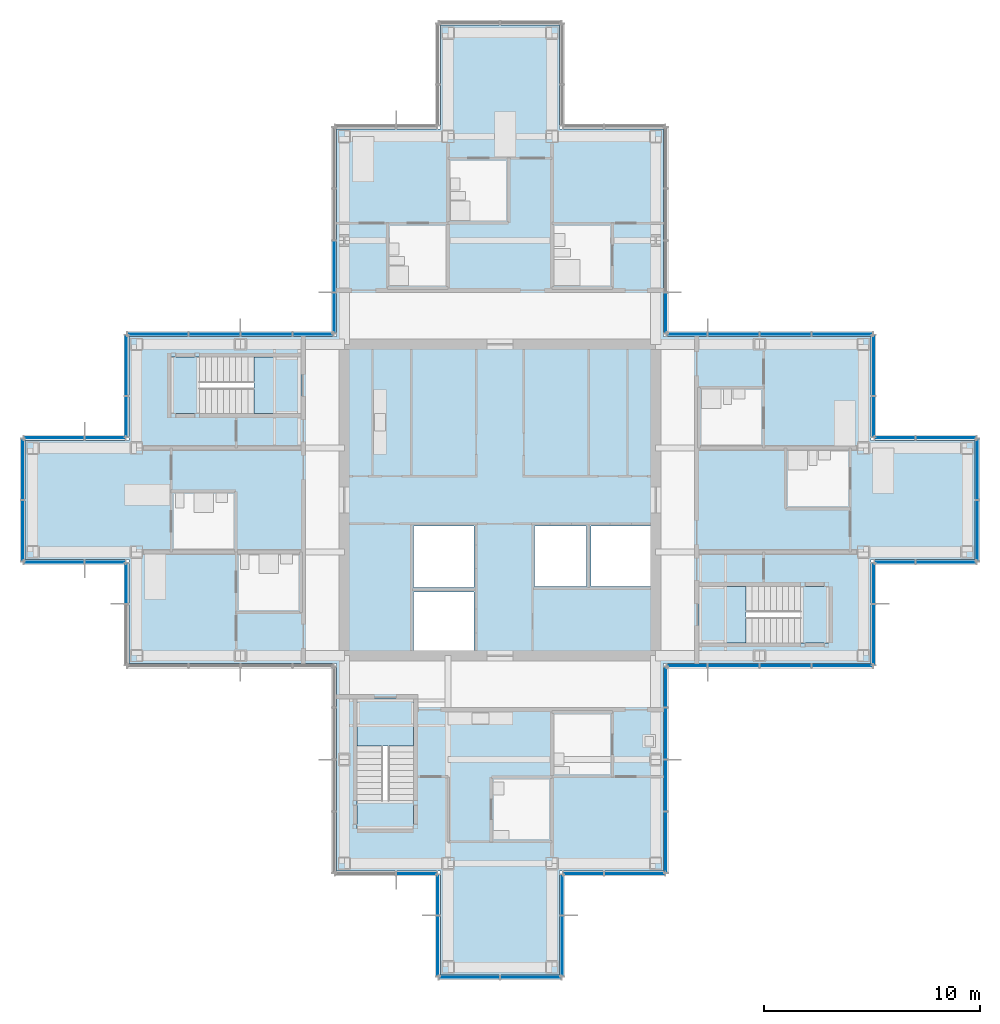
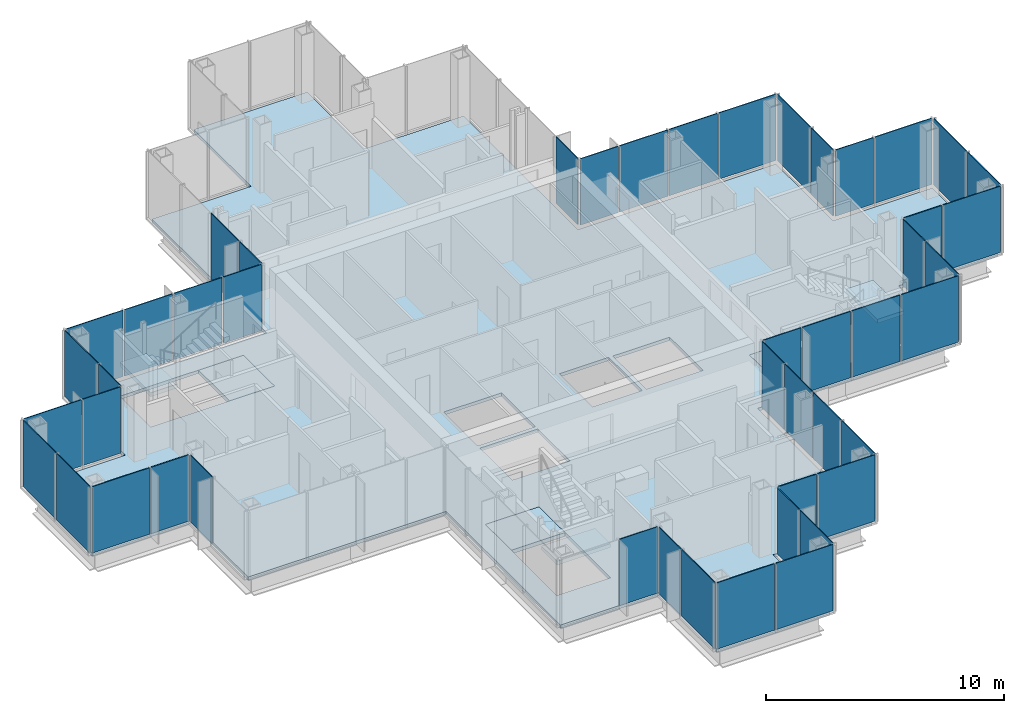
# One storey, part 10 of 17: 47 plates, 7 slabs, 24 elements without a shape of their own.
"""IFC4 building model written with IfcOpenShell, lengths in metres."""

from ifc_helpers import new_model, si_unit, direction, frame, origin, origin_2d, place, context, subcontext, project, spatial, polyline, rectangle, outline, extrude, material, layer, layer_set, type_object, element, aggregate, save


model = new_model("IFC4")

# Units and contexts
model_context = context("Model", 3, precision=1e-05, world=origin(), true_north=direction((0.0, 1.0)))
body_context = subcontext(model_context, "Body", "Model", "MODEL_VIEW")
ifc_project = project(units=[si_unit("LENGTHUNIT", "METRE"), si_unit("AREAUNIT", "SQUARE_METRE"), si_unit("VOLUMEUNIT", "CUBIC_METRE"), si_unit("PLANEANGLEUNIT", "RADIAN"), si_unit("MASSUNIT", "GRAM", prefix="KILO")], contexts=[model_context])

# Site, building, storey
site_placement = place(None, origin())
site = spatial("IfcSite", under=ifc_project, at=site_placement, CompositionType="ELEMENT")
building_placement = place(site_placement, origin())
building = spatial("IfcBuilding", under=site, at=building_placement, Name="Kvirike Care Tower", CompositionType="ELEMENT")
storey_placement = place(building_placement, frame((0.0, 0.0, 151.5)))
storey = spatial("IfcBuildingStorey", under=building, at=storey_placement, Name="L41", CompositionType="ELEMENT", Elevation=151.5)

# Slab
ifc_material_1 = material(Name="Concrete C35/45", Category="concrete")
ifc_layer_1 = layer(ifc_material_1, 0.169921875)
ifc_layer_set_1 = layer_set([ifc_layer_1], Name="FLOOR SLAB 170")
slab_type_1 = type_object("IfcSlabType", Name="FLOOR SLAB 170", PredefinedType="FLOOR", material=ifc_layer_set_1)
slab_1_placement = place(storey_placement, frame((0.0, 0.0, -0.169921875)))
element("IfcSlab", 1, at=slab_1_placement, inside=storey, type_object=slab_type_1, Name="Floor slab L41", PredefinedType="FLOOR", context=body_context, shape_type="SweptSolid", body=[
    extrude(outline(polyline([(29.14990234375, 28.449951171875), (38.75, 28.449951171875), (38.75, 33.25), (43.550048828125, 33.25), (43.550048828125, 38.75), (38.75, 38.75), (38.75, 43.550048828125), (29.14990234375, 43.550048828125), (29.14990234375, 53.14990234375), (24.35009765625, 53.14990234375), (24.35009765625, 57.949951171875), (18.85009765625, 57.949951171875), (18.85009765625, 53.14990234375), (14.050048828125, 53.14990234375), (14.050048828125, 43.550048828125), (4.449951171875, 43.550048828125), (4.449951171875, 38.75), (-0.35009765625, 38.75), (-0.35009765625, 33.25), (4.449951171875, 33.25), (4.449951171875, 28.449951171875), (14.050048828125, 28.449951171875), (14.050048828125, 18.85009765625), (18.85009765625, 18.85009765625), (18.85009765625, 14.050048828125), (24.35009765625, 14.050048828125), (24.35009765625, 18.85009765625), (29.14990234375, 18.85009765625), (29.14990234375, 28.449951171875)]), holes=[polyline([(17.60009765625, 29.050048828125), (17.60009765625, 31.75), (20.39990234375, 31.75), (20.39990234375, 29.050048828125), (17.60009765625, 29.050048828125)]), polyline([(17.60009765625, 31.949951171875), (17.60009765625, 34.800048828125), (20.39990234375, 34.800048828125), (20.39990234375, 31.949951171875), (17.60009765625, 31.949951171875)]), polyline([(23.199951171875, 32.0), (23.199951171875, 34.800048828125), (25.60009765625, 34.800048828125), (25.60009765625, 32.0), (23.199951171875, 32.0)]), polyline([(25.800048828125, 32.0), (25.800048828125, 34.800048828125), (28.550048828125, 34.800048828125), (28.550048828125, 32.0), (25.800048828125, 32.0)]), polyline([(12.39990234375, 42.60009765625), (12.39990234375, 40.0), (6.39990234375, 40.0), (6.39990234375, 42.60009765625), (12.39990234375, 42.60009765625)]), polyline([(30.800048828125, 29.39990234375), (30.800048828125, 32.0), (36.800048828125, 32.0), (36.800048828125, 29.39990234375), (30.800048828125, 29.39990234375)]), polyline([(15.0, 26.800048828125), (17.60009765625, 26.800048828125), (17.60009765625, 20.800048828125), (15.0, 20.800048828125), (15.0, 26.800048828125)])]), origin(), (0.0, 0.0, 1.0), 0.169921875),
])

# Stair, slabs
ifc_material_2 = material(Name="Concrete C35/45", Category="concrete")
stair_type = type_object("IfcStairType", Name="STAIR 20 RISERS", PredefinedType="HALF_TURN_STAIR", material=ifc_material_2)
stair_1_placement = place(storey_placement, origin())
stair_1 = element("IfcStair", 2, at=stair_1_placement, inside=storey, type_object=stair_type, Name="Stair 1 L41", PredefinedType="HALF_TURN_STAIR")
ifc_material_3 = material(Name="Concrete C35/45", Category="concrete")
ifc_layer_2 = layer(ifc_material_3, 0.199951171875)
ifc_layer_set_2 = layer_set([ifc_layer_2], Name="STAIR LANDING 200")
slab_type_2 = type_object("IfcSlabType", Name="STAIR LANDING 200", PredefinedType="LANDING", material=ifc_layer_set_2)
slab_2_placement = place(storey_placement, frame((0.0, 0.0, -0.199951171875)))
slab_2 = element("IfcSlab", 3, at=slab_2_placement, type_object=slab_type_2, Name="Stair S1 floor landing L41", PredefinedType="LANDING", context=body_context, shape_type="SweptSolid", body=[
    extrude(outline(polyline([(10.219970703125, 42.60009765625), (10.219970703125, 40.0), (12.39990234375, 40.0), (12.39990234375, 42.60009765625), (10.219970703125, 42.60009765625)])), origin(), (0.0, 0.0, 1.0), 0.199951171875),
])
slab_3_placement = place(storey_placement, frame((0.0, 0.0, 1.550048828125)))
slab_3 = element("IfcSlab", 4, at=slab_3_placement, type_object=slab_type_2, Name="Stair S1 half landing L41-L42", PredefinedType="LANDING", context=body_context, shape_type="SweptSolid", body=[
    extrude(outline(polyline([(6.39990234375, 42.60009765625), (6.39990234375, 40.0), (7.699951171875, 40.0), (7.699951171875, 42.60009765625), (6.39990234375, 42.60009765625)])), origin(), (0.0, 0.0, 1.0), 0.199951171875),
])
aggregate(stair_1, [slab_2, slab_3])

stair_2_placement = place(storey_placement, origin())
stair_2 = element("IfcStair", 5, at=stair_2_placement, inside=storey, type_object=stair_type, Name="Stair 2 L41", PredefinedType="HALF_TURN_STAIR")
slab_4_placement = place(storey_placement, frame((0.0, 0.0, -0.199951171875)))
slab_4 = element("IfcSlab", 6, at=slab_4_placement, type_object=slab_type_2, Name="Stair S2 floor landing L41", PredefinedType="LANDING", context=body_context, shape_type="SweptSolid", body=[
    extrude(outline(polyline([(32.97998046875, 29.39990234375), (32.97998046875, 32.0), (30.800048828125, 32.0), (30.800048828125, 29.39990234375), (32.97998046875, 29.39990234375)])), origin(), (0.0, 0.0, 1.0), 0.199951171875),
])
slab_5_placement = place(storey_placement, frame((0.0, 0.0, 1.550048828125)))
slab_5 = element("IfcSlab", 7, at=slab_5_placement, type_object=slab_type_2, Name="Stair S2 half landing L41-L42", PredefinedType="LANDING", context=body_context, shape_type="SweptSolid", body=[
    extrude(outline(polyline([(36.800048828125, 29.39990234375), (36.800048828125, 32.0), (35.5, 32.0), (35.5, 29.39990234375), (36.800048828125, 29.39990234375)])), origin(), (0.0, 0.0, 1.0), 0.199951171875),
])
aggregate(stair_2, [slab_4, slab_5])

stair_3_placement = place(storey_placement, origin())
stair_3 = element("IfcStair", 8, at=stair_3_placement, inside=storey, type_object=stair_type, Name="Stair 5 L41", PredefinedType="HALF_TURN_STAIR")
slab_6_placement = place(storey_placement, frame((0.0, 0.0, -0.199951171875)))
slab_6 = element("IfcSlab", 9, at=slab_6_placement, type_object=slab_type_2, Name="Stair S5 floor landing L41", PredefinedType="LANDING", context=body_context, shape_type="SweptSolid", body=[
    extrude(outline(polyline([(15.0, 24.6201171875), (17.60009765625, 24.6201171875), (17.60009765625, 26.800048828125), (15.0, 26.800048828125), (15.0, 24.6201171875)])), origin(), (0.0, 0.0, 1.0), 0.199951171875),
])
slab_7_placement = place(storey_placement, frame((0.0, 0.0, 1.550048828125)))
slab_7 = element("IfcSlab", 10, at=slab_7_placement, type_object=slab_type_2, Name="Stair S5 half landing L41-L42", PredefinedType="LANDING", context=body_context, shape_type="SweptSolid", body=[
    extrude(outline(polyline([(15.0, 20.800048828125), (17.60009765625, 20.800048828125), (17.60009765625, 22.10009765625), (15.0, 22.10009765625), (15.0, 20.800048828125)])), origin(), (0.0, 0.0, 1.0), 0.199951171875),
])
aggregate(stair_3, [slab_6, slab_7])

# Curtain wall, plates
ifc_material_4 = material(Name="Anodised aluminium stick system", Category="aluminium")
curtain_wall_type = type_object("IfcCurtainWallType", Name="CW-C STICK CURTAIN WALL", PredefinedType="NOTDEFINED", material=ifc_material_4)
curtain_wall_1_placement = place(storey_placement, origin())
curtain_wall_1 = element("IfcCurtainWall", 11, at=curtain_wall_1_placement, inside=storey, type_object=curtain_wall_type, Name="Curtain wall L41 face 1", PredefinedType="NOTDEFINED")
ifc_material_5 = material(Name="Tinted double glazed unit", Category="glass")
ifc_layer_3 = layer(ifc_material_5, 0.0400390625)
ifc_layer_set_3 = layer_set([ifc_layer_3], Name="TINTED VISION PANEL 40")
plate_type = type_object("IfcPlateType", Name="TINTED VISION PANEL 40", PredefinedType="CURTAIN_PANEL", material=ifc_layer_set_3)
plate_1_placement = place(storey_placement, frame((30.251220703125, 28.330078125, 0.10009765625), z_axis=(0.0, 0.0, 1.0), x_axis=(1.0, 0.0, 0.0)))
plate_1 = element("IfcPlate", 12, at=plate_1_placement, type_object=plate_type, Name="CW-C panel L41 face 1.1", PredefinedType="CURTAIN_PANEL", context=body_context, shape_type="SweptSolid", body=[
    extrude(rectangle(XDim=1.83251953125, YDim=0.0400390625, at=origin_2d()), origin(), (0.0, 0.0, 1.0), 3.39990234375),
])
plate_2_placement = place(storey_placement, frame((32.39990234375, 28.330078125, 0.10009765625), z_axis=(0.0, 0.0, 1.0), x_axis=(1.0, 0.0, 0.0)))
plate_2 = element("IfcPlate", 13, at=plate_2_placement, type_object=plate_type, Name="CW-C panel L41 face 1.2", PredefinedType="CURTAIN_PANEL", context=body_context, shape_type="SweptSolid", body=[
    extrude(rectangle(XDim=2.3349609375, YDim=0.0400390625, at=origin_2d()), origin(), (0.0, 0.0, 1.0), 3.39990234375),
])
plate_3_placement = place(storey_placement, frame((34.800048828125, 28.330078125, 0.10009765625), z_axis=(0.0, 0.0, 1.0), x_axis=(1.0, 0.0, 0.0)))
plate_3 = element("IfcPlate", 14, at=plate_3_placement, type_object=plate_type, Name="CW-C panel L41 face 1.3", PredefinedType="CURTAIN_PANEL", context=body_context, shape_type="SweptSolid", body=[
    extrude(rectangle(XDim=2.3349609375, YDim=0.0400390625, at=origin_2d()), origin(), (0.0, 0.0, 1.0), 3.39990234375),
])
plate_4_placement = place(storey_placement, frame((37.418701171875, 28.330078125, 0.10009765625), z_axis=(0.0, 0.0, 1.0), x_axis=(1.0, 0.0, 0.0)))
plate_4 = element("IfcPlate", 15, at=plate_4_placement, type_object=plate_type, Name="CW-C panel L41 face 1.4", PredefinedType="CURTAIN_PANEL", context=body_context, shape_type="SweptSolid", body=[
    extrude(rectangle(XDim=2.7724609375, YDim=0.0400390625, at=origin_2d()), origin(), (0.0, 0.0, 1.0), 3.39990234375),
])
aggregate(curtain_wall_1, [plate_1, plate_2, plate_3, plate_4])

curtain_wall_2_placement = place(storey_placement, origin())
curtain_wall_2 = element("IfcCurtainWall", 16, at=curtain_wall_2_placement, inside=storey, type_object=curtain_wall_type, Name="Curtain wall L41 face 2", PredefinedType="NOTDEFINED")
plate_5_placement = place(storey_placement, frame((38.8701171875, 29.78125, 0.10009765625), z_axis=(0.0, 0.0, 1.0), x_axis=(0.0, 1.0, 0.0)))
plate_5 = element("IfcPlate", 17, at=plate_5_placement, type_object=plate_type, Name="CW-C panel L41 face 2.1", PredefinedType="CURTAIN_PANEL", context=body_context, shape_type="SweptSolid", body=[
    extrude(rectangle(XDim=2.7724609375, YDim=0.0400390625, at=origin_2d()), origin(), (0.0, 0.0, 1.0), 3.39990234375),
])
plate_6_placement = place(storey_placement, frame((38.8701171875, 32.148681640625, 0.10009765625), z_axis=(0.0, 0.0, 1.0), x_axis=(0.0, 1.0, 0.0)))
plate_6 = element("IfcPlate", 18, at=plate_6_placement, type_object=plate_type, Name="CW-C panel L41 face 2.2", PredefinedType="CURTAIN_PANEL", context=body_context, shape_type="SweptSolid", body=[
    extrude(rectangle(XDim=1.83251953125, YDim=0.0400390625, at=origin_2d()), origin(), (0.0, 0.0, 1.0), 3.39990234375),
])
aggregate(curtain_wall_2, [plate_5, plate_6])

curtain_wall_3_placement = place(storey_placement, origin())
curtain_wall_3 = element("IfcCurtainWall", 19, at=curtain_wall_3_placement, inside=storey, type_object=curtain_wall_type, Name="Curtain wall L41 face 3", PredefinedType="NOTDEFINED")
plate_7_placement = place(storey_placement, frame((39.851318359375, 33.1298828125, 0.10009765625), z_axis=(0.0, 0.0, 1.0), x_axis=(1.0, 0.0, 0.0)))
plate_7 = element("IfcPlate", 20, at=plate_7_placement, type_object=plate_type, Name="CW-C panel L41 face 3.1", PredefinedType="CURTAIN_PANEL", context=body_context, shape_type="SweptSolid", body=[
    extrude(rectangle(XDim=1.83251953125, YDim=0.0400390625, at=origin_2d()), origin(), (0.0, 0.0, 1.0), 3.39990234375),
])
plate_8_placement = place(storey_placement, frame((42.21875, 33.1298828125, 0.10009765625), z_axis=(0.0, 0.0, 1.0), x_axis=(1.0, 0.0, 0.0)))
plate_8 = element("IfcPlate", 21, at=plate_8_placement, type_object=plate_type, Name="CW-C panel L41 face 3.2", PredefinedType="CURTAIN_PANEL", context=body_context, shape_type="SweptSolid", body=[
    extrude(rectangle(XDim=2.7724609375, YDim=0.0400390625, at=origin_2d()), origin(), (0.0, 0.0, 1.0), 3.39990234375),
])
aggregate(curtain_wall_3, [plate_7, plate_8])

curtain_wall_4_placement = place(storey_placement, origin())
curtain_wall_4 = element("IfcCurtainWall", 22, at=curtain_wall_4_placement, inside=storey, type_object=curtain_wall_type, Name="Curtain wall L41 face 4", PredefinedType="NOTDEFINED")
plate_9_placement = place(storey_placement, frame((43.669921875, 34.581298828125, 0.10009765625), z_axis=(0.0, 0.0, 1.0), x_axis=(0.0, 1.0, 0.0)))
plate_9 = element("IfcPlate", 23, at=plate_9_placement, type_object=plate_type, Name="CW-C panel L41 face 4.1", PredefinedType="CURTAIN_PANEL", context=body_context, shape_type="SweptSolid", body=[
    extrude(rectangle(XDim=2.7724609375, YDim=0.0400390625, at=origin_2d()), origin(), (0.0, 0.0, 1.0), 3.39990234375),
])
plate_10_placement = place(storey_placement, frame((43.669921875, 37.418701171875, 0.10009765625), z_axis=(0.0, 0.0, 1.0), x_axis=(0.0, 1.0, 0.0)))
plate_10 = element("IfcPlate", 24, at=plate_10_placement, type_object=plate_type, Name="CW-C panel L41 face 4.2", PredefinedType="CURTAIN_PANEL", context=body_context, shape_type="SweptSolid", body=[
    extrude(rectangle(XDim=2.7724609375, YDim=0.0400390625, at=origin_2d()), origin(), (0.0, 0.0, 1.0), 3.39990234375),
])
aggregate(curtain_wall_4, [plate_9, plate_10])

curtain_wall_5_placement = place(storey_placement, origin())
curtain_wall_5 = element("IfcCurtainWall", 25, at=curtain_wall_5_placement, inside=storey, type_object=curtain_wall_type, Name="Curtain wall L41 face 5", PredefinedType="NOTDEFINED")
plate_11_placement = place(storey_placement, frame((42.21875, 38.8701171875, 0.10009765625), z_axis=(0.0, 0.0, 1.0), x_axis=(-1.0, 0.0, 0.0)))
plate_11 = element("IfcPlate", 26, at=plate_11_placement, type_object=plate_type, Name="CW-C panel L41 face 5.1", PredefinedType="CURTAIN_PANEL", context=body_context, shape_type="SweptSolid", body=[
    extrude(rectangle(XDim=2.7724609375, YDim=0.0400390625, at=origin_2d()), origin(), (0.0, 0.0, 1.0), 3.39990234375),
])
plate_12_placement = place(storey_placement, frame((39.851318359375, 38.8701171875, 0.10009765625), z_axis=(0.0, 0.0, 1.0), x_axis=(-1.0, 0.0, 0.0)))
plate_12 = element("IfcPlate", 27, at=plate_12_placement, type_object=plate_type, Name="CW-C panel L41 face 5.2", PredefinedType="CURTAIN_PANEL", context=body_context, shape_type="SweptSolid", body=[
    extrude(rectangle(XDim=1.83251953125, YDim=0.0400390625, at=origin_2d()), origin(), (0.0, 0.0, 1.0), 3.39990234375),
])
aggregate(curtain_wall_5, [plate_11, plate_12])

curtain_wall_6_placement = place(storey_placement, origin())
curtain_wall_6 = element("IfcCurtainWall", 28, at=curtain_wall_6_placement, inside=storey, type_object=curtain_wall_type, Name="Curtain wall L41 face 6", PredefinedType="NOTDEFINED")
plate_13_placement = place(storey_placement, frame((38.8701171875, 39.851318359375, 0.10009765625), z_axis=(0.0, 0.0, 1.0), x_axis=(0.0, 1.0, 0.0)))
plate_13 = element("IfcPlate", 29, at=plate_13_placement, type_object=plate_type, Name="CW-C panel L41 face 6.1", PredefinedType="CURTAIN_PANEL", context=body_context, shape_type="SweptSolid", body=[
    extrude(rectangle(XDim=1.83251953125, YDim=0.0400390625, at=origin_2d()), origin(), (0.0, 0.0, 1.0), 3.39990234375),
])
plate_14_placement = place(storey_placement, frame((38.8701171875, 42.21875, 0.10009765625), z_axis=(0.0, 0.0, 1.0), x_axis=(0.0, 1.0, 0.0)))
plate_14 = element("IfcPlate", 30, at=plate_14_placement, type_object=plate_type, Name="CW-C panel L41 face 6.2", PredefinedType="CURTAIN_PANEL", context=body_context, shape_type="SweptSolid", body=[
    extrude(rectangle(XDim=2.7724609375, YDim=0.0400390625, at=origin_2d()), origin(), (0.0, 0.0, 1.0), 3.39990234375),
])
aggregate(curtain_wall_6, [plate_13, plate_14])

curtain_wall_7_placement = place(storey_placement, origin())
curtain_wall_7 = element("IfcCurtainWall", 31, at=curtain_wall_7_placement, inside=storey, type_object=curtain_wall_type, Name="Curtain wall L41 face 7", PredefinedType="NOTDEFINED")
plate_15_placement = place(storey_placement, frame((37.418701171875, 43.669921875, 0.10009765625), z_axis=(0.0, 0.0, 1.0), x_axis=(-1.0, 0.0, 0.0)))
plate_15 = element("IfcPlate", 32, at=plate_15_placement, type_object=plate_type, Name="CW-C panel L41 face 7.1", PredefinedType="CURTAIN_PANEL", context=body_context, shape_type="SweptSolid", body=[
    extrude(rectangle(XDim=2.7724609375, YDim=0.0400390625, at=origin_2d()), origin(), (0.0, 0.0, 1.0), 3.39990234375),
])
plate_16_placement = place(storey_placement, frame((34.800048828125, 43.669921875, 0.10009765625), z_axis=(0.0, 0.0, 1.0), x_axis=(-1.0, 0.0, 0.0)))
plate_16 = element("IfcPlate", 33, at=plate_16_placement, type_object=plate_type, Name="CW-C panel L41 face 7.2", PredefinedType="CURTAIN_PANEL", context=body_context, shape_type="SweptSolid", body=[
    extrude(rectangle(XDim=2.3349609375, YDim=0.0400390625, at=origin_2d()), origin(), (0.0, 0.0, 1.0), 3.39990234375),
])
plate_17_placement = place(storey_placement, frame((32.39990234375, 43.669921875, 0.10009765625), z_axis=(0.0, 0.0, 1.0), x_axis=(-1.0, 0.0, 0.0)))
plate_17 = element("IfcPlate", 34, at=plate_17_placement, type_object=plate_type, Name="CW-C panel L41 face 7.3", PredefinedType="CURTAIN_PANEL", context=body_context, shape_type="SweptSolid", body=[
    extrude(rectangle(XDim=2.3349609375, YDim=0.0400390625, at=origin_2d()), origin(), (0.0, 0.0, 1.0), 3.39990234375),
])
plate_18_placement = place(storey_placement, frame((30.251220703125, 43.669921875, 0.10009765625), z_axis=(0.0, 0.0, 1.0), x_axis=(-1.0, 0.0, 0.0)))
plate_18 = element("IfcPlate", 35, at=plate_18_placement, type_object=plate_type, Name="CW-C panel L41 face 7.4", PredefinedType="CURTAIN_PANEL", context=body_context, shape_type="SweptSolid", body=[
    extrude(rectangle(XDim=1.83251953125, YDim=0.0400390625, at=origin_2d()), origin(), (0.0, 0.0, 1.0), 3.39990234375),
])
aggregate(curtain_wall_7, [plate_15, plate_16, plate_17, plate_18])

# Curtain wall, plate
curtain_wall_8_placement = place(storey_placement, origin())
curtain_wall_8 = element("IfcCurtainWall", 36, at=curtain_wall_8_placement, inside=storey, type_object=curtain_wall_type, Name="Curtain wall L41 face 8", PredefinedType="NOTDEFINED")
plate_19_placement = place(storey_placement, frame((29.27001953125, 44.6513671875, 0.10009765625), z_axis=(0.0, 0.0, 1.0), x_axis=(0.0, 1.0, 0.0)))
plate_19 = element("IfcPlate", 37, at=plate_19_placement, type_object=plate_type, Name="CW-C panel L41 face 8.1", PredefinedType="CURTAIN_PANEL", context=body_context, shape_type="SweptSolid", body=[
    extrude(rectangle(XDim=1.83251953125, YDim=0.0400390625, at=origin_2d()), origin(), (0.0, 0.0, 1.0), 3.39990234375),
])
aggregate(curtain_wall_8, [plate_19])

# Curtain wall, plates
curtain_wall_9_placement = place(storey_placement, origin())
curtain_wall_9 = element("IfcCurtainWall", 38, at=curtain_wall_9_placement, inside=storey, type_object=curtain_wall_type, Name="Curtain wall L41 face 14", PredefinedType="NOTDEFINED")
plate_20_placement = place(storey_placement, frame((13.929931640625, 46.800048828125, 0.10009765625), z_axis=(0.0, 0.0, 1.0), x_axis=(0.0, -1.0, 0.0)))
plate_20 = element("IfcPlate", 39, at=plate_20_placement, type_object=plate_type, Name="CW-C panel L41 face 14.3", PredefinedType="CURTAIN_PANEL", context=body_context, shape_type="SweptSolid", body=[
    extrude(rectangle(XDim=2.3349609375, YDim=0.0400390625, at=origin_2d()), origin(), (0.0, 0.0, 1.0), 3.39990234375),
])
plate_21_placement = place(storey_placement, frame((13.929931640625, 44.6513671875, 0.10009765625), z_axis=(0.0, 0.0, 1.0), x_axis=(0.0, -1.0, 0.0)))
plate_21 = element("IfcPlate", 40, at=plate_21_placement, type_object=plate_type, Name="CW-C panel L41 face 14.4", PredefinedType="CURTAIN_PANEL", context=body_context, shape_type="SweptSolid", body=[
    extrude(rectangle(XDim=1.83251953125, YDim=0.0400390625, at=origin_2d()), origin(), (0.0, 0.0, 1.0), 3.39990234375),
])
aggregate(curtain_wall_9, [plate_20, plate_21])

curtain_wall_10_placement = place(storey_placement, origin())
curtain_wall_10 = element("IfcCurtainWall", 41, at=curtain_wall_10_placement, inside=storey, type_object=curtain_wall_type, Name="Curtain wall L41 face 15", PredefinedType="NOTDEFINED")
plate_22_placement = place(storey_placement, frame((12.94873046875, 43.669921875, 0.10009765625), z_axis=(0.0, 0.0, 1.0), x_axis=(-1.0, 0.0, 0.0)))
plate_22 = element("IfcPlate", 42, at=plate_22_placement, type_object=plate_type, Name="CW-C panel L41 face 15.1", PredefinedType="CURTAIN_PANEL", context=body_context, shape_type="SweptSolid", body=[
    extrude(rectangle(XDim=1.83251953125, YDim=0.0400390625, at=origin_2d()), origin(), (0.0, 0.0, 1.0), 3.39990234375),
])
plate_23_placement = place(storey_placement, frame((10.800048828125, 43.669921875, 0.10009765625), z_axis=(0.0, 0.0, 1.0), x_axis=(-1.0, 0.0, 0.0)))
plate_23 = element("IfcPlate", 43, at=plate_23_placement, type_object=plate_type, Name="CW-C panel L41 face 15.2", PredefinedType="CURTAIN_PANEL", context=body_context, shape_type="SweptSolid", body=[
    extrude(rectangle(XDim=2.3349609375, YDim=0.0400390625, at=origin_2d()), origin(), (0.0, 0.0, 1.0), 3.39990234375),
])
plate_24_placement = place(storey_placement, frame((8.39990234375, 43.669921875, 0.10009765625), z_axis=(0.0, 0.0, 1.0), x_axis=(-1.0, 0.0, 0.0)))
plate_24 = element("IfcPlate", 44, at=plate_24_placement, type_object=plate_type, Name="CW-C panel L41 face 15.3", PredefinedType="CURTAIN_PANEL", context=body_context, shape_type="SweptSolid", body=[
    extrude(rectangle(XDim=2.3349609375, YDim=0.0400390625, at=origin_2d()), origin(), (0.0, 0.0, 1.0), 3.39990234375),
])
plate_25_placement = place(storey_placement, frame((5.78125, 43.669921875, 0.10009765625), z_axis=(0.0, 0.0, 1.0), x_axis=(-1.0, 0.0, 0.0)))
plate_25 = element("IfcPlate", 45, at=plate_25_placement, type_object=plate_type, Name="CW-C panel L41 face 15.4", PredefinedType="CURTAIN_PANEL", context=body_context, shape_type="SweptSolid", body=[
    extrude(rectangle(XDim=2.7724609375, YDim=0.0400390625, at=origin_2d()), origin(), (0.0, 0.0, 1.0), 3.39990234375),
])
aggregate(curtain_wall_10, [plate_22, plate_23, plate_24, plate_25])

curtain_wall_11_placement = place(storey_placement, origin())
curtain_wall_11 = element("IfcCurtainWall", 46, at=curtain_wall_11_placement, inside=storey, type_object=curtain_wall_type, Name="Curtain wall L41 face 16", PredefinedType="NOTDEFINED")
plate_26_placement = place(storey_placement, frame((4.330078125, 42.21875, 0.10009765625), z_axis=(0.0, 0.0, 1.0), x_axis=(0.0, -1.0, 0.0)))
plate_26 = element("IfcPlate", 47, at=plate_26_placement, type_object=plate_type, Name="CW-C panel L41 face 16.1", PredefinedType="CURTAIN_PANEL", context=body_context, shape_type="SweptSolid", body=[
    extrude(rectangle(XDim=2.7724609375, YDim=0.0400390625, at=origin_2d()), origin(), (0.0, 0.0, 1.0), 3.39990234375),
])
plate_27_placement = place(storey_placement, frame((4.330078125, 39.851318359375, 0.10009765625), z_axis=(0.0, 0.0, 1.0), x_axis=(0.0, -1.0, 0.0)))
plate_27 = element("IfcPlate", 48, at=plate_27_placement, type_object=plate_type, Name="CW-C panel L41 face 16.2", PredefinedType="CURTAIN_PANEL", context=body_context, shape_type="SweptSolid", body=[
    extrude(rectangle(XDim=1.83251953125, YDim=0.0400390625, at=origin_2d()), origin(), (0.0, 0.0, 1.0), 3.39990234375),
])
aggregate(curtain_wall_11, [plate_26, plate_27])

curtain_wall_12_placement = place(storey_placement, origin())
curtain_wall_12 = element("IfcCurtainWall", 49, at=curtain_wall_12_placement, inside=storey, type_object=curtain_wall_type, Name="Curtain wall L41 face 17", PredefinedType="NOTDEFINED")
plate_28_placement = place(storey_placement, frame((3.3486328125, 38.8701171875, 0.10009765625), z_axis=(0.0, 0.0, 1.0), x_axis=(-1.0, 0.0, 0.0)))
plate_28 = element("IfcPlate", 50, at=plate_28_placement, type_object=plate_type, Name="CW-C panel L41 face 17.1", PredefinedType="CURTAIN_PANEL", context=body_context, shape_type="SweptSolid", body=[
    extrude(rectangle(XDim=1.83251953125, YDim=0.0400390625, at=origin_2d()), origin(), (0.0, 0.0, 1.0), 3.39990234375),
])
plate_29_placement = place(storey_placement, frame((0.981201171875, 38.8701171875, 0.10009765625), z_axis=(0.0, 0.0, 1.0), x_axis=(-1.0, 0.0, 0.0)))
plate_29 = element("IfcPlate", 51, at=plate_29_placement, type_object=plate_type, Name="CW-C panel L41 face 17.2", PredefinedType="CURTAIN_PANEL", context=body_context, shape_type="SweptSolid", body=[
    extrude(rectangle(XDim=2.7724609375, YDim=0.0400390625, at=origin_2d()), origin(), (0.0, 0.0, 1.0), 3.39990234375),
])
aggregate(curtain_wall_12, [plate_28, plate_29])

curtain_wall_13_placement = place(storey_placement, origin())
curtain_wall_13 = element("IfcCurtainWall", 52, at=curtain_wall_13_placement, inside=storey, type_object=curtain_wall_type, Name="Curtain wall L41 face 18", PredefinedType="NOTDEFINED")
plate_30_placement = place(storey_placement, frame((-0.469970703125, 37.418701171875, 0.10009765625), z_axis=(0.0, 0.0, 1.0), x_axis=(0.0, -1.0, 0.0)))
plate_30 = element("IfcPlate", 53, at=plate_30_placement, type_object=plate_type, Name="CW-C panel L41 face 18.1", PredefinedType="CURTAIN_PANEL", context=body_context, shape_type="SweptSolid", body=[
    extrude(rectangle(XDim=2.7724609375, YDim=0.0400390625, at=origin_2d()), origin(), (0.0, 0.0, 1.0), 3.39990234375),
])
plate_31_placement = place(storey_placement, frame((-0.469970703125, 34.581298828125, 0.10009765625), z_axis=(0.0, 0.0, 1.0), x_axis=(0.0, -1.0, 0.0)))
plate_31 = element("IfcPlate", 54, at=plate_31_placement, type_object=plate_type, Name="CW-C panel L41 face 18.2", PredefinedType="CURTAIN_PANEL", context=body_context, shape_type="SweptSolid", body=[
    extrude(rectangle(XDim=2.7724609375, YDim=0.0400390625, at=origin_2d()), origin(), (0.0, 0.0, 1.0), 3.39990234375),
])
aggregate(curtain_wall_13, [plate_30, plate_31])

curtain_wall_14_placement = place(storey_placement, origin())
curtain_wall_14 = element("IfcCurtainWall", 55, at=curtain_wall_14_placement, inside=storey, type_object=curtain_wall_type, Name="Curtain wall L41 face 19", PredefinedType="NOTDEFINED")
plate_32_placement = place(storey_placement, frame((0.981201171875, 33.1298828125, 0.10009765625), z_axis=(0.0, 0.0, 1.0), x_axis=(1.0, 0.0, 0.0)))
plate_32 = element("IfcPlate", 56, at=plate_32_placement, type_object=plate_type, Name="CW-C panel L41 face 19.1", PredefinedType="CURTAIN_PANEL", context=body_context, shape_type="SweptSolid", body=[
    extrude(rectangle(XDim=2.7724609375, YDim=0.0400390625, at=origin_2d()), origin(), (0.0, 0.0, 1.0), 3.39990234375),
])
plate_33_placement = place(storey_placement, frame((3.3486328125, 33.1298828125, 0.10009765625), z_axis=(0.0, 0.0, 1.0), x_axis=(1.0, 0.0, 0.0)))
plate_33 = element("IfcPlate", 57, at=plate_33_placement, type_object=plate_type, Name="CW-C panel L41 face 19.2", PredefinedType="CURTAIN_PANEL", context=body_context, shape_type="SweptSolid", body=[
    extrude(rectangle(XDim=1.83251953125, YDim=0.0400390625, at=origin_2d()), origin(), (0.0, 0.0, 1.0), 3.39990234375),
])
aggregate(curtain_wall_14, [plate_32, plate_33])

# Curtain wall, plate
curtain_wall_15_placement = place(storey_placement, origin())
curtain_wall_15 = element("IfcCurtainWall", 58, at=curtain_wall_15_placement, inside=storey, type_object=curtain_wall_type, Name="Curtain wall L41 face 20", PredefinedType="NOTDEFINED")
plate_34_placement = place(storey_placement, frame((4.330078125, 32.148681640625, 0.10009765625), z_axis=(0.0, 0.0, 1.0), x_axis=(0.0, -1.0, 0.0)))
plate_34 = element("IfcPlate", 59, at=plate_34_placement, type_object=plate_type, Name="CW-C panel L41 face 20.1", PredefinedType="CURTAIN_PANEL", context=body_context, shape_type="SweptSolid", body=[
    extrude(rectangle(XDim=1.83251953125, YDim=0.0400390625, at=origin_2d()), origin(), (0.0, 0.0, 1.0), 3.39990234375),
])
aggregate(curtain_wall_15, [plate_34])

curtain_wall_16_placement = place(storey_placement, origin())
curtain_wall_16 = element("IfcCurtainWall", 60, at=curtain_wall_16_placement, inside=storey, type_object=curtain_wall_type, Name="Curtain wall L41 face 23", PredefinedType="NOTDEFINED")
plate_35_placement = place(storey_placement, frame((17.748779296875, 18.72998046875, 0.10009765625), z_axis=(0.0, 0.0, 1.0), x_axis=(1.0, 0.0, 0.0)))
plate_35 = element("IfcPlate", 61, at=plate_35_placement, type_object=plate_type, Name="CW-C panel L41 face 23.2", PredefinedType="CURTAIN_PANEL", context=body_context, shape_type="SweptSolid", body=[
    extrude(rectangle(XDim=1.83251953125, YDim=0.0400390625, at=origin_2d()), origin(), (0.0, 0.0, 1.0), 3.39990234375),
])
aggregate(curtain_wall_16, [plate_35])

# Curtain wall, plates
curtain_wall_17_placement = place(storey_placement, origin())
curtain_wall_17 = element("IfcCurtainWall", 62, at=curtain_wall_17_placement, inside=storey, type_object=curtain_wall_type, Name="Curtain wall L41 face 24", PredefinedType="NOTDEFINED")
plate_36_placement = place(storey_placement, frame((18.72998046875, 17.748779296875, 0.10009765625), z_axis=(0.0, 0.0, 1.0), x_axis=(0.0, -1.0, 0.0)))
plate_36 = element("IfcPlate", 63, at=plate_36_placement, type_object=plate_type, Name="CW-C panel L41 face 24.1", PredefinedType="CURTAIN_PANEL", context=body_context, shape_type="SweptSolid", body=[
    extrude(rectangle(XDim=1.83251953125, YDim=0.0400390625, at=origin_2d()), origin(), (0.0, 0.0, 1.0), 3.39990234375),
])
plate_37_placement = place(storey_placement, frame((18.72998046875, 15.38134765625, 0.10009765625), z_axis=(0.0, 0.0, 1.0), x_axis=(0.0, -1.0, 0.0)))
plate_37 = element("IfcPlate", 64, at=plate_37_placement, type_object=plate_type, Name="CW-C panel L41 face 24.2", PredefinedType="CURTAIN_PANEL", context=body_context, shape_type="SweptSolid", body=[
    extrude(rectangle(XDim=2.7724609375, YDim=0.0400390625, at=origin_2d()), origin(), (0.0, 0.0, 1.0), 3.39990234375),
])
aggregate(curtain_wall_17, [plate_36, plate_37])

curtain_wall_18_placement = place(storey_placement, origin())
curtain_wall_18 = element("IfcCurtainWall", 65, at=curtain_wall_18_placement, inside=storey, type_object=curtain_wall_type, Name="Curtain wall L41 face 25", PredefinedType="NOTDEFINED")
plate_38_placement = place(storey_placement, frame((20.18115234375, 13.929931640625, 0.10009765625), z_axis=(0.0, 0.0, 1.0), x_axis=(1.0, 0.0, 0.0)))
plate_38 = element("IfcPlate", 66, at=plate_38_placement, type_object=plate_type, Name="CW-C panel L41 face 25.1", PredefinedType="CURTAIN_PANEL", context=body_context, shape_type="SweptSolid", body=[
    extrude(rectangle(XDim=2.7724609375, YDim=0.0400390625, at=origin_2d()), origin(), (0.0, 0.0, 1.0), 3.39990234375),
])
plate_39_placement = place(storey_placement, frame((23.018798828125, 13.929931640625, 0.10009765625), z_axis=(0.0, 0.0, 1.0), x_axis=(1.0, 0.0, 0.0)))
plate_39 = element("IfcPlate", 67, at=plate_39_placement, type_object=plate_type, Name="CW-C panel L41 face 25.2", PredefinedType="CURTAIN_PANEL", context=body_context, shape_type="SweptSolid", body=[
    extrude(rectangle(XDim=2.7724609375, YDim=0.0400390625, at=origin_2d()), origin(), (0.0, 0.0, 1.0), 3.39990234375),
])
aggregate(curtain_wall_18, [plate_38, plate_39])

curtain_wall_19_placement = place(storey_placement, origin())
curtain_wall_19 = element("IfcCurtainWall", 68, at=curtain_wall_19_placement, inside=storey, type_object=curtain_wall_type, Name="Curtain wall L41 face 26", PredefinedType="NOTDEFINED")
plate_40_placement = place(storey_placement, frame((24.469970703125, 15.38134765625, 0.10009765625), z_axis=(0.0, 0.0, 1.0), x_axis=(0.0, 1.0, 0.0)))
plate_40 = element("IfcPlate", 69, at=plate_40_placement, type_object=plate_type, Name="CW-C panel L41 face 26.1", PredefinedType="CURTAIN_PANEL", context=body_context, shape_type="SweptSolid", body=[
    extrude(rectangle(XDim=2.7724609375, YDim=0.0400390625, at=origin_2d()), origin(), (0.0, 0.0, 1.0), 3.39990234375),
])
plate_41_placement = place(storey_placement, frame((24.469970703125, 17.748779296875, 0.10009765625), z_axis=(0.0, 0.0, 1.0), x_axis=(0.0, 1.0, 0.0)))
plate_41 = element("IfcPlate", 70, at=plate_41_placement, type_object=plate_type, Name="CW-C panel L41 face 26.2", PredefinedType="CURTAIN_PANEL", context=body_context, shape_type="SweptSolid", body=[
    extrude(rectangle(XDim=1.83251953125, YDim=0.0400390625, at=origin_2d()), origin(), (0.0, 0.0, 1.0), 3.39990234375),
])
aggregate(curtain_wall_19, [plate_40, plate_41])

curtain_wall_20_placement = place(storey_placement, origin())
curtain_wall_20 = element("IfcCurtainWall", 71, at=curtain_wall_20_placement, inside=storey, type_object=curtain_wall_type, Name="Curtain wall L41 face 27", PredefinedType="NOTDEFINED")
plate_42_placement = place(storey_placement, frame((25.451171875, 18.72998046875, 0.10009765625), z_axis=(0.0, 0.0, 1.0), x_axis=(1.0, 0.0, 0.0)))
plate_42 = element("IfcPlate", 72, at=plate_42_placement, type_object=plate_type, Name="CW-C panel L41 face 27.1", PredefinedType="CURTAIN_PANEL", context=body_context, shape_type="SweptSolid", body=[
    extrude(rectangle(XDim=1.83251953125, YDim=0.0400390625, at=origin_2d()), origin(), (0.0, 0.0, 1.0), 3.39990234375),
])
plate_43_placement = place(storey_placement, frame((27.81884765625, 18.72998046875, 0.10009765625), z_axis=(0.0, 0.0, 1.0), x_axis=(1.0, 0.0, 0.0)))
plate_43 = element("IfcPlate", 73, at=plate_43_placement, type_object=plate_type, Name="CW-C panel L41 face 27.2", PredefinedType="CURTAIN_PANEL", context=body_context, shape_type="SweptSolid", body=[
    extrude(rectangle(XDim=2.7724609375, YDim=0.0400390625, at=origin_2d()), origin(), (0.0, 0.0, 1.0), 3.39990234375),
])
aggregate(curtain_wall_20, [plate_42, plate_43])

curtain_wall_21_placement = place(storey_placement, origin())
curtain_wall_21 = element("IfcCurtainWall", 74, at=curtain_wall_21_placement, inside=storey, type_object=curtain_wall_type, Name="Curtain wall L41 face 28", PredefinedType="NOTDEFINED")
plate_44_placement = place(storey_placement, frame((29.27001953125, 20.18115234375, 0.10009765625), z_axis=(0.0, 0.0, 1.0), x_axis=(0.0, 1.0, 0.0)))
plate_44 = element("IfcPlate", 75, at=plate_44_placement, type_object=plate_type, Name="CW-C panel L41 face 28.1", PredefinedType="CURTAIN_PANEL", context=body_context, shape_type="SweptSolid", body=[
    extrude(rectangle(XDim=2.7724609375, YDim=0.0400390625, at=origin_2d()), origin(), (0.0, 0.0, 1.0), 3.39990234375),
])
plate_45_placement = place(storey_placement, frame((29.27001953125, 22.800048828125, 0.10009765625), z_axis=(0.0, 0.0, 1.0), x_axis=(0.0, 1.0, 0.0)))
plate_45 = element("IfcPlate", 76, at=plate_45_placement, type_object=plate_type, Name="CW-C panel L41 face 28.2", PredefinedType="CURTAIN_PANEL", context=body_context, shape_type="SweptSolid", body=[
    extrude(rectangle(XDim=2.3349609375, YDim=0.0400390625, at=origin_2d()), origin(), (0.0, 0.0, 1.0), 3.39990234375),
])
plate_46_placement = place(storey_placement, frame((29.27001953125, 25.199951171875, 0.10009765625), z_axis=(0.0, 0.0, 1.0), x_axis=(0.0, 1.0, 0.0)))
plate_46 = element("IfcPlate", 77, at=plate_46_placement, type_object=plate_type, Name="CW-C panel L41 face 28.3", PredefinedType="CURTAIN_PANEL", context=body_context, shape_type="SweptSolid", body=[
    extrude(rectangle(XDim=2.3349609375, YDim=0.0400390625, at=origin_2d()), origin(), (0.0, 0.0, 1.0), 3.39990234375),
])
plate_47_placement = place(storey_placement, frame((29.27001953125, 27.3486328125, 0.10009765625), z_axis=(0.0, 0.0, 1.0), x_axis=(0.0, 1.0, 0.0)))
plate_47 = element("IfcPlate", 78, at=plate_47_placement, type_object=plate_type, Name="CW-C panel L41 face 28.4", PredefinedType="CURTAIN_PANEL", context=body_context, shape_type="SweptSolid", body=[
    extrude(rectangle(XDim=1.83251953125, YDim=0.0400390625, at=origin_2d()), origin(), (0.0, 0.0, 1.0), 3.39990234375),
])
aggregate(curtain_wall_21, [plate_44, plate_45, plate_46, plate_47])

save(model, "model.ifc")
